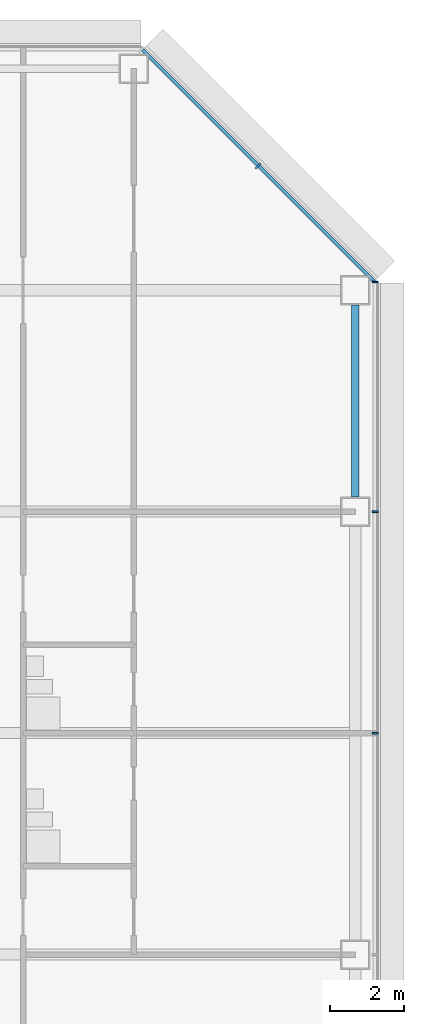
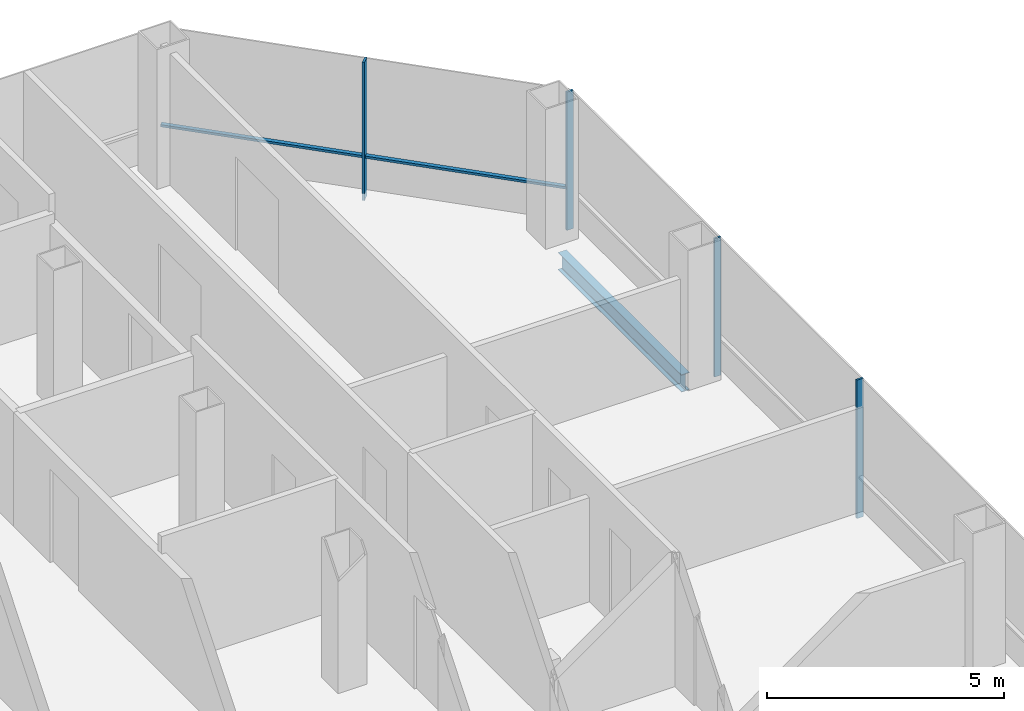
# One storey, part 17 of 26: 5 members, 1 beam, 2 elements without a shape of their own.
"""IFC4 building model written with IfcOpenShell, lengths in metres."""

from ifc_helpers import new_model, si_unit, direction, frame, origin, origin_2d, place, context, subcontext, project, spatial, rectangle, i_section, extrude, material, material_profile, profile_set, type_object, element, aggregate, save


model = new_model("IFC4")

# Units and contexts
model_context = context("Model", 3, precision=1e-05, world=origin(), true_north=direction((0.0, 1.0)))
body_context = subcontext(model_context, "Body", "Model", "MODEL_VIEW")
ifc_project = project(units=[si_unit("LENGTHUNIT", "METRE"), si_unit("AREAUNIT", "SQUARE_METRE"), si_unit("VOLUMEUNIT", "CUBIC_METRE"), si_unit("PLANEANGLEUNIT", "RADIAN"), si_unit("MASSUNIT", "GRAM", prefix="KILO")], contexts=[model_context])

# Site, building, storey
site_placement = place(None, origin())
site = spatial("IfcSite", under=ifc_project, at=site_placement, CompositionType="ELEMENT")
building_placement = place(site_placement, origin())
building = spatial("IfcBuilding", under=site, at=building_placement, Name="Sorahane Residences", CompositionType="ELEMENT")
storey_placement = place(building_placement, frame((0.0, 0.0, 110.60009765625)))
storey = spatial("IfcBuildingStorey", under=building, at=storey_placement, Name="L24", CompositionType="ELEMENT", Elevation=110.60009765625)

# Curtain wall, members
ifc_material_1 = material(Name="Dark low-e glass and black anodised aluminium", Category="aluminium")
curtain_wall_type_1 = type_object("IfcCurtainWallType", Name="Curtain wall CW-1 Typical unitised wall", PredefinedType="NOTDEFINED", material=ifc_material_1)
curtain_wall_1_placement = place(storey_placement, origin())
curtain_wall_1 = element("IfcCurtainWall", 1, at=curtain_wall_1_placement, inside=storey, type_object=curtain_wall_type_1, Name="CW-1 curtain wall L24 E1", PredefinedType="NOTDEFINED")
ifc_material_2 = material(Name="Black anodised aluminium", Category="aluminium")
ifc_material_profile_1 = material_profile(ifc_material_2, rectangle(XDim=0.159912109375, YDim=0.050048828125, at=origin_2d()), Name="Curtain wall mullion CW-1 black anodised aluminium 50x160")
ifc_profile_set_1 = profile_set([ifc_material_profile_1], Name="Black anodised aluminium")
member_type_1 = type_object("IfcMemberType", Name="Curtain wall mullion CW-1 black anodised aluminium 50x160", PredefinedType="MULLION", material=ifc_profile_set_1)
member_1_placement = place(storey_placement, frame((60.5400390625, 30.0, -0.18017578125), z_axis=(0.0, 0.0, 1.0), x_axis=(1.0, 0.0, 0.0)))
member_1 = element("IfcMember", 2, at=member_1_placement, type_object=member_type_1, Name="CW-1 mullion L24 E1.5", PredefinedType="MULLION", context=body_context, shape_type="SweptSolid", body=[
    extrude(rectangle(XDim=0.159912109375, YDim=0.050048828125, at=origin_2d()), origin(), (0.0, 0.0, 1.0), 3.56005859375),
])
member_2_placement = place(storey_placement, frame((60.5400390625, 36.0, -0.18017578125), z_axis=(0.0, 0.0, 1.0), x_axis=(1.0, 0.0, 0.0)))
member_2 = element("IfcMember", 3, at=member_2_placement, type_object=member_type_1, Name="CW-1 mullion L24 E1.6", PredefinedType="MULLION", context=body_context, shape_type="SweptSolid", body=[
    extrude(rectangle(XDim=0.159912109375, YDim=0.050048828125, at=origin_2d()), origin(), (0.0, 0.0, 1.0), 3.56005859375),
])
member_3_placement = place(storey_placement, frame((60.5400390625, 42.2236328125, -0.18017578125), z_axis=(0.0, 0.0, 1.0), x_axis=(1.0, 0.0, 0.0)))
member_3 = element("IfcMember", 4, at=member_3_placement, type_object=member_type_1, Name="CW-1 mullion L24 E1.7", PredefinedType="MULLION", context=body_context, shape_type="SweptSolid", body=[
    extrude(rectangle(XDim=0.159912109375, YDim=0.050048828125, at=origin_2d()), origin(), (0.0, 0.0, 1.0), 3.56005859375),
])
aggregate(curtain_wall_1, [member_1, member_2, member_3])

ifc_material_3 = material(Name="Dark low-e glass and black anodised aluminium", Category="aluminium")
curtain_wall_type_2 = type_object("IfcCurtainWallType", Name="Curtain wall CW-2 Chamfer unitised wall", PredefinedType="NOTDEFINED", material=ifc_material_3)
curtain_wall_2_placement = place(storey_placement, origin())
curtain_wall_2 = element("IfcCurtainWall", 5, at=curtain_wall_2_placement, inside=storey, type_object=curtain_wall_type_2, Name="CW-2 curtain wall L24 NE1", PredefinedType="NOTDEFINED")
ifc_material_4 = material(Name="Black anodised aluminium", Category="aluminium")
ifc_material_profile_2 = material_profile(ifc_material_4, rectangle(XDim=0.199951171875, YDim=0.050048828125, at=origin_2d()), Name="Curtain wall mullion CW-2 black anodised aluminium 50x200")
ifc_profile_set_2 = profile_set([ifc_material_profile_2], Name="Black anodised aluminium")
member_type_2 = type_object("IfcMemberType", Name="Curtain wall mullion CW-2 black anodised aluminium 50x200", PredefinedType="MULLION", material=ifc_profile_set_2)
member_4_placement = place(storey_placement, frame((57.36767578125, 45.36767578125, -0.18017578125), z_axis=(0.0, 0.0, 1.0), x_axis=(0.707106781187, 0.707106781187, 0.0)))
member_4 = element("IfcMember", 6, at=member_4_placement, type_object=member_type_2, Name="CW-2 mullion L24 NE1.2", PredefinedType="MULLION", context=body_context, shape_type="SweptSolid", body=[
    extrude(rectangle(XDim=0.199951171875, YDim=0.050048828125, at=origin_2d()), origin(), (0.0, 0.0, 1.0), 3.56005859375),
])
ifc_material_5 = material(Name="Black anodised aluminium", Category="aluminium")
ifc_material_profile_3 = material_profile(ifc_material_5, rectangle(XDim=0.10009765625, YDim=0.06005859375, at=origin_2d()), Name="Curtain wall transom CW-2 black anodised aluminium 60x100")
ifc_profile_set_3 = profile_set([ifc_material_profile_3], Name="Black anodised aluminium")
member_type_3 = type_object("IfcMemberType", Name="Curtain wall transom CW-2 black anodised aluminium 60x100", PredefinedType="USERDEFINED", material=ifc_profile_set_3)
member_5_placement = place(storey_placement, frame((60.51513671875, 42.234375, 0.89990234375), z_axis=(-0.707106781187, 0.707106781187, 0.0), x_axis=(-0.707106781187, -0.707106781187, 0.0)))
member_5 = element("IfcMember", 7, at=member_5_placement, type_object=member_type_3, Name="CW-2 transom L24 NE1", ObjectType="TRANSOM", PredefinedType="USERDEFINED", context=body_context, shape_type="SweptSolid", body=[
    extrude(rectangle(XDim=0.10009765625, YDim=0.06005859375, at=origin_2d()), origin(), (0.0, 0.0, 1.0), 8.88232421875),
])
aggregate(curtain_wall_2, [member_4, member_5])

# Beam
ifc_material_6 = material(Name="Steel Q355B", Category="steel")
ifc_material_profile_4 = material_profile(ifc_material_6, i_section(OverallWidth=0.199951171875, OverallDepth=0.449951171875, WebThickness=0.009033203125, FlangeThickness=0.013916015625, FilletRadius=0.02001953125, at=origin_2d()), Name="HN 450x200x9x14")
ifc_profile_set_4 = profile_set([ifc_material_profile_4], Name="Steel Q355B")
beam_type = type_object("IfcBeamType", Name="Steel floor beam HN 450x200x9x14 Q355B", PredefinedType="BEAM", material=ifc_profile_set_4)
beam_placement = place(storey_placement, frame((60.0, 36.39990234375, -0.405029296875), z_axis=(0.0, 1.0, 0.0), x_axis=(-1.0, 0.0, 0.0)))
element("IfcBeam", 8, at=beam_placement, inside=storey, type_object=beam_type, Name="Beam L24 067", PredefinedType="BEAM", context=body_context, shape_type="SweptSolid", body=[
    extrude(i_section(OverallWidth=0.199951171875, OverallDepth=0.449951171875, WebThickness=0.009033203125, FlangeThickness=0.013916015625, FilletRadius=0.02001953125, at=origin_2d()), origin(), (0.0, 0.0, 1.0), 5.2001953125),
])

save(model, "model.ifc")
